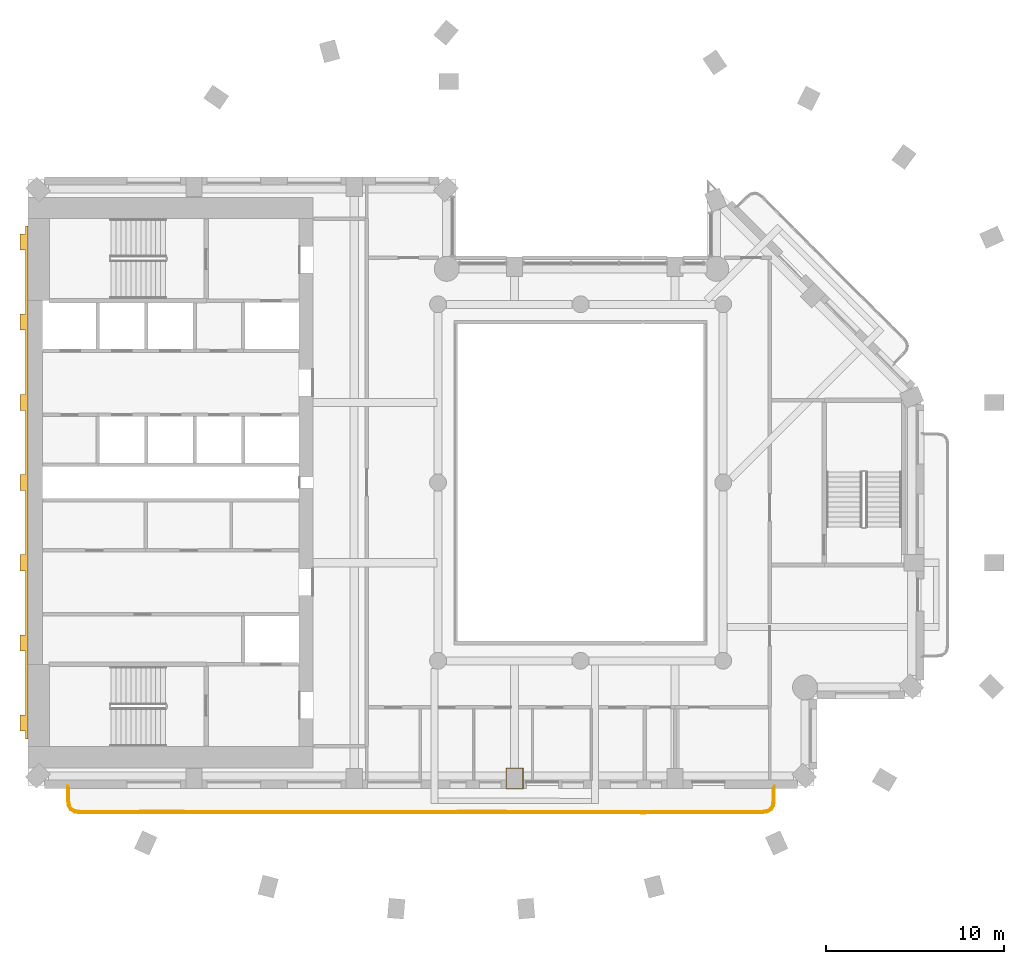
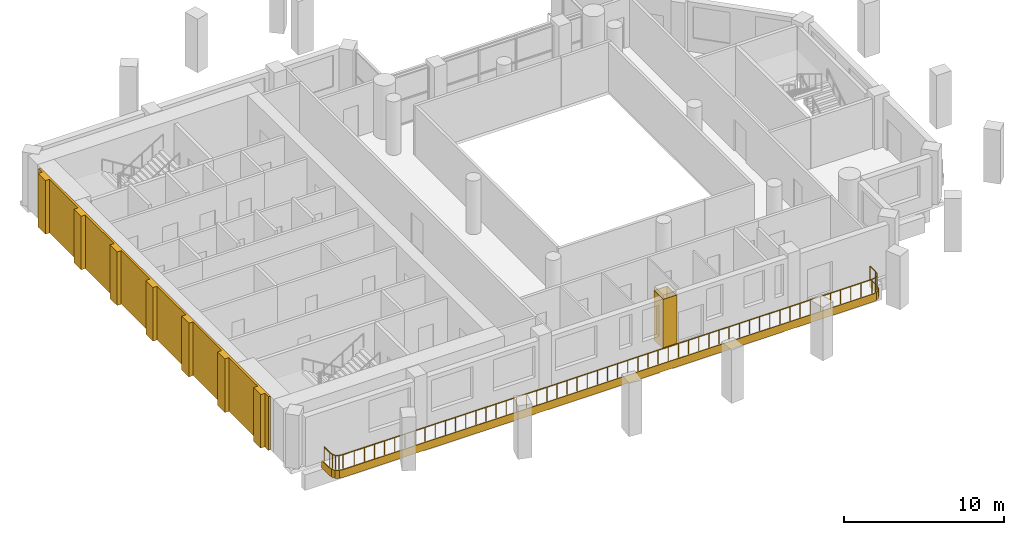
# One storey, part 11 of 14: 3 coverings, 1 railing.
"""IFC4 building model written with IfcOpenShell, lengths in metres."""

from ifc_helpers import new_model, si_unit, direction, frame, origin, origin_2d, place, context, subcontext, project, spatial, polyline, rectangle, outline, extrude, material, layer, layer_set, type_object, element, save


model = new_model("IFC4")

# Units and contexts
model_context = context("Model", 3, precision=1e-05, world=origin(), true_north=direction((0.0, 1.0)))
body_context = subcontext(model_context, "Body", "Model", "MODEL_VIEW")
ifc_project = project(units=[si_unit("LENGTHUNIT", "METRE"), si_unit("AREAUNIT", "SQUARE_METRE"), si_unit("VOLUMEUNIT", "CUBIC_METRE"), si_unit("PLANEANGLEUNIT", "RADIAN"), si_unit("MASSUNIT", "GRAM", prefix="KILO")], contexts=[model_context])

# Site, building, storey
site_placement = place(None, origin())
site = spatial("IfcSite", under=ifc_project, at=site_placement, CompositionType="ELEMENT")
building_placement = place(site_placement, origin())
building = spatial("IfcBuilding", under=site, at=building_placement, Name="Cypress Arch Tower", CompositionType="ELEMENT")
storey_placement = place(building_placement, frame((0.0, 0.0, 201.5)))
storey = spatial("IfcBuildingStorey", under=building, at=storey_placement, Name="L44", CompositionType="ELEMENT", Elevation=201.5)

# Covering
ifc_material_1 = material(Name="White powder-coated aluminium fascia", Category="aluminium")
ifc_layer_1 = layer(ifc_material_1, 0.050048828125)
ifc_layer_set_1 = layer_set([ifc_layer_1], Name="Balcony fascia BF50")
covering_type_1 = type_object("IfcCoveringType", Name="Balcony fascia BF50", PredefinedType="CLADDING", material=ifc_layer_set_1)
covering_1_placement = place(storey_placement, frame((0.0, 0.0, -0.60009765625)))
element("IfcCovering", 1, at=covering_1_placement, inside=storey, type_object=covering_type_1, Name="Balcony fascia L44-B01", PredefinedType="CLADDING", context=body_context, shape_type="SweptSolid", body=[
    extrude(outline(polyline([(11.89990234375, -17.844970703125), (11.85693359375, -18.147216796875), (11.721435546875, -18.373046875), (11.495849609375, -18.5087890625), (11.193603515625, -18.552734375), (10.383544921875, -18.554443359375), (8.916748046875, -18.558349609375), (7.4501953125, -18.5625), (5.9833984375, -18.565185546875), (4.5166015625, -18.56640625), (3.050048828125, -18.5654296875), (1.583251953125, -18.5625), (0.116455078125, -18.55859375), (-1.35009765625, -18.554443359375), (-2.816650390625, -18.55126953125), (-4.283447265625, -18.550048828125), (-5.75, -18.55078125), (-7.216552734375, -18.553466796875), (-8.68310546875, -18.557373046875), (-10.14990234375, -18.561279296875), (-11.61669921875, -18.564697265625), (-13.083251953125, -18.566162109375), (-14.550048828125, -18.56591796875), (-16.016845703125, -18.5634765625), (-17.4833984375, -18.5595703125), (-18.9501953125, -18.555419921875), (-20.416748046875, -18.552001953125), (-21.88330078125, -18.55029296875), (-23.349853515625, -18.55029296875), (-24.816650390625, -18.552490234375), (-26.283203125, -18.55615234375), (-27.093505859375, -18.558349609375), (-27.395751953125, -18.51611328125), (-27.621337890625, -18.38134765625), (-27.7568359375, -18.156005859375), (-27.800048828125, -17.853759765625), (-27.800048828125, -17.0009765625), (-27.75, -17.0009765625), (-27.75, -17.850341796875), (-27.708740234375, -18.138916015625), (-27.5849609375, -18.3447265625), (-27.378662109375, -18.468017578125), (-27.090087890625, -18.508544921875), (-26.283447265625, -18.506103515625), (-24.816650390625, -18.50244140625), (-23.35009765625, -18.500244140625), (-21.88330078125, -18.500244140625), (-20.416748046875, -18.501953125), (-18.949951171875, -18.505615234375), (-17.4833984375, -18.509765625), (-16.0166015625, -18.513427734375), (-14.550048828125, -18.515869140625), (-13.083251953125, -18.516357421875), (-11.61669921875, -18.5146484375), (-10.14990234375, -18.511474609375), (-8.683349609375, -18.50732421875), (-7.216552734375, -18.50341796875), (-5.75, -18.500732421875), (-4.283447265625, -18.5), (-2.816650390625, -18.50146484375), (-1.35009765625, -18.50439453125), (0.11669921875, -18.508544921875), (1.583251953125, -18.512451171875), (3.050048828125, -18.515380859375), (4.5166015625, -18.516357421875), (5.9833984375, -18.515380859375), (7.449951171875, -18.512451171875), (8.916748046875, -18.50830078125), (10.38330078125, -18.50439453125), (11.18994140625, -18.502685546875), (11.478759765625, -18.4609375), (11.68505859375, -18.336669921875), (11.808837890625, -18.130126953125), (11.85009765625, -17.84130859375), (11.85009765625, -17.0009765625), (11.89990234375, -17.0009765625), (11.89990234375, -17.844970703125)])), origin(), (0.0, 0.0, 1.0), 0.60009765625),
])

# Railing
ifc_material_2 = material(Name="Powder-coated steel posts and rods, 100 mm clear between rods", Category="steel")
railing_type = type_object("IfcRailingType", Name="Balcony guard GR1100", PredefinedType="GUARDRAIL", material=ifc_material_2)
railing_placement = place(storey_placement, frame((11.800048828125, -17.14990234375, 0.0)))
element("IfcRailing", 2, at=railing_placement, inside=storey, type_object=railing_type, Name="Balcony guard L44-B01", PredefinedType="GUARDRAIL", context=body_context, shape_type="SweptSolid", body=[
    extrude(rectangle(XDim=0.050048828125, YDim=0.050048828125, at=origin_2d()), frame((0.0, 0.0, 1.0751953125), z_axis=(0.0, -1.0, 0.0), x_axis=(1.0, 0.0, 0.0)), (0.0, 0.0, 1.0), 0.687744140625),
    extrude(rectangle(XDim=0.050048828125, YDim=0.050048828125, at=origin_2d()), frame((0.0, -0.687744140625, 1.0751953125), z_axis=(-0.141298486899, -0.989967038643, 0.0), x_axis=(0.989967038643, -0.141298486899, 0.0)), (0.0, 0.0, 1.0), 0.278076171875),
    extrude(rectangle(XDim=0.050048828125, YDim=0.050048828125, at=origin_2d()), frame((-0.039306640625, -0.963134765625, 1.0751953125), z_axis=(-0.514331317798, -0.85759156685, 0.0), x_axis=(0.85759156685, -0.514331317798, 0.0)), (0.0, 0.0, 1.0), 0.21826171875),
    extrude(rectangle(XDim=0.050048828125, YDim=0.050048828125, at=origin_2d()), frame((-0.151611328125, -1.150390625, 1.0751953125), z_axis=(-0.856503451729, -0.516141295748, 0.0), x_axis=(0.516141295748, -0.856503451729, 0.0)), (0.0, 0.0, 1.0), 0.218017578125),
    extrude(rectangle(XDim=0.050048828125, YDim=0.050048828125, at=origin_2d()), frame((-0.33837890625, -1.262939453125, 1.0751953125), z_axis=(-0.98972007872, -0.143018061021, 0.0), x_axis=(0.143018061021, -0.98972007872, 0.0)), (0.0, 0.0, 1.0), 0.2783203125),
    extrude(rectangle(XDim=0.050048828125, YDim=0.050048828125, at=origin_2d()), frame((-0.61376953125, -1.302734375, 1.0751953125), z_axis=(-0.999997735163, -0.002128301656, 0.0), x_axis=(0.002128301656, -0.999997735163, 0.0)), (0.0, 0.0, 1.0), 0.802978515625),
    extrude(rectangle(XDim=0.050048828125, YDim=0.050048828125, at=origin_2d()), frame((-1.416748046875, -1.304443359375, 1.0751953125), z_axis=(-0.999995996817, -0.002829549259, 0.0), x_axis=(0.002829549259, -0.999995996817, 0.0)), (0.0, 0.0, 1.0), 1.466796875),
    extrude(rectangle(XDim=0.050048828125, YDim=0.050048828125, at=origin_2d()), frame((-2.883544921875, -1.30859375, 1.0751953125), z_axis=(-0.999996452745, -0.002663549733, 0.0), x_axis=(0.002663549733, -0.999996452745, 0.0)), (0.0, 0.0, 1.0), 1.466552734375),
    extrude(rectangle(XDim=0.050048828125, YDim=0.050048828125, at=origin_2d()), frame((-4.35009765625, -1.3125, 1.0751953125), z_axis=(-0.999998005329, -0.0019973329, 0.0), x_axis=(0.0019973329, -0.999998005329, 0.0)), (0.0, 0.0, 1.0), 1.466796875),
    extrude(rectangle(XDim=0.050048828125, YDim=0.050048828125, at=origin_2d()), frame((-5.81689453125, -1.3154296875, 1.0751953125), z_axis=(-0.999999778295, -0.000665889648, 0.0), x_axis=(0.000665889648, -0.999999778295, 0.0)), (0.0, 0.0, 1.0), 1.466552734375),
    extrude(rectangle(XDim=0.050048828125, YDim=0.050048828125, at=origin_2d()), frame((-7.283447265625, -1.31640625, 1.0751953125), z_axis=(-0.999999778295, 0.000665889648, 0.0), x_axis=(-0.000665889648, -0.999999778295, 0.0)), (0.0, 0.0, 1.0), 1.466552734375),
    extrude(rectangle(XDim=0.050048828125, YDim=0.050048828125, at=origin_2d()), frame((-8.75, -1.3154296875, 1.0751953125), z_axis=(-0.999998004664, 0.0019976654, 0.0), x_axis=(-0.0019976654, -0.999998004664, 0.0)), (0.0, 0.0, 1.0), 1.466552734375),
    extrude(rectangle(XDim=0.050048828125, YDim=0.050048828125, at=origin_2d()), frame((-10.216552734375, -1.3125, 1.0751953125), z_axis=(-0.999996453926, 0.002663106402, 0.0), x_axis=(-0.002663106402, -0.999996453926, 0.0)), (0.0, 0.0, 1.0), 1.466796875),
    extrude(rectangle(XDim=0.050048828125, YDim=0.050048828125, at=origin_2d()), frame((-11.683349609375, -1.30859375, 1.0751953125), z_axis=(-0.999996452745, 0.002663549733, 0.0), x_axis=(-0.002663549733, -0.999996452745, 0.0)), (0.0, 0.0, 1.0), 1.466552734375),
    extrude(rectangle(XDim=0.050048828125, YDim=0.050048828125, at=origin_2d()), frame((-13.14990234375, -1.3046875, 1.0751953125), z_axis=(-0.999997659033, 0.002163776559, 0.0), x_axis=(-0.002163776559, -0.999997659033, 0.0)), (0.0, 0.0, 1.0), 1.466796875),
    extrude(rectangle(XDim=0.050048828125, YDim=0.050048828125, at=origin_2d()), frame((-14.61669921875, -1.301513671875, 1.0751953125), z_axis=(-0.999999501165, 0.000998834195, 0.0), x_axis=(-0.000998834195, -0.999999501165, 0.0)), (0.0, 0.0, 1.0), 1.466552734375),
    extrude(rectangle(XDim=0.050048828125, YDim=0.050048828125, at=origin_2d()), frame((-16.083251953125, -1.300048828125, 1.0751953125), z_axis=(-0.999999875333, -0.000499334159, 0.0), x_axis=(0.000499334159, -0.999999875333, 0.0)), (0.0, 0.0, 1.0), 1.466796875),
    extrude(rectangle(XDim=0.050048828125, YDim=0.050048828125, at=origin_2d()), frame((-17.550048828125, -1.30078125, 1.0751953125), z_axis=(-0.999998323921, -0.001830889075, 0.0), x_axis=(0.001830889075, -0.999998323921, 0.0)), (0.0, 0.0, 1.0), 1.466796875),
    extrude(rectangle(XDim=0.050048828125, YDim=0.050048828125, at=origin_2d()), frame((-19.016845703125, -1.303466796875, 1.0751953125), z_axis=(-0.999996453926, -0.002663106402, 0.0), x_axis=(0.002663106402, -0.999996453926, 0.0)), (0.0, 0.0, 1.0), 1.466796875),
    extrude(rectangle(XDim=0.050048828125, YDim=0.050048828125, at=origin_2d()), frame((-20.483642578125, -1.307373046875, 1.0751953125), z_axis=(-0.999995995485, -0.002830020297, 0.0), x_axis=(0.002830020297, -0.999995995485, 0.0)), (0.0, 0.0, 1.0), 1.466552734375),
    extrude(rectangle(XDim=0.050048828125, YDim=0.050048828125, at=origin_2d()), frame((-21.9501953125, -1.3115234375, 1.0751953125), z_axis=(-0.999997658253, -0.002164136767, 0.0), x_axis=(0.002164136767, -0.999997658253, 0.0)), (0.0, 0.0, 1.0), 1.466552734375),
    extrude(rectangle(XDim=0.050048828125, YDim=0.050048828125, at=origin_2d()), frame((-23.416748046875, -1.314697265625, 1.0751953125), z_axis=(-0.99999932103, -0.00116530635, 0.0), x_axis=(0.00116530635, -0.99999932103, 0.0)), (0.0, 0.0, 1.0), 1.466552734375),
    extrude(rectangle(XDim=0.050048828125, YDim=0.050048828125, at=origin_2d()), frame((-24.88330078125, -1.31640625, 1.0751953125), z_axis=(-0.999999944592, 0.000332889462, 0.0), x_axis=(-0.000332889462, -0.999999944592, 0.0)), (0.0, 0.0, 1.0), 1.466796875),
    extrude(rectangle(XDim=0.050048828125, YDim=0.050048828125, at=origin_2d()), frame((-26.35009765625, -1.31591796875, 1.0751953125), z_axis=(-0.999998614349, 0.001664722181, 0.0), x_axis=(-0.001664722181, -0.999998614349, 0.0)), (0.0, 0.0, 1.0), 1.466552734375),
    extrude(rectangle(XDim=0.050048828125, YDim=0.050048828125, at=origin_2d()), frame((-27.816650390625, -1.3134765625, 1.0751953125), z_axis=(-0.999996882294, 0.002497078947, 0.0), x_axis=(-0.002497078947, -0.999996882294, 0.0)), (0.0, 0.0, 1.0), 1.466552734375),
    extrude(rectangle(XDim=0.050048828125, YDim=0.050048828125, at=origin_2d()), frame((-29.283203125, -1.309814453125, 1.0751953125), z_axis=(-0.999995996817, 0.002829549259, 0.0), x_axis=(-0.002829549259, -0.999995996817, 0.0)), (0.0, 0.0, 1.0), 1.466796875),
    extrude(rectangle(XDim=0.050048828125, YDim=0.050048828125, at=origin_2d()), frame((-30.75, -1.3056640625, 1.0751953125), z_axis=(-0.99999728413, 0.002330607954, 0.0), x_axis=(-0.002330607954, -0.99999728413, 0.0)), (0.0, 0.0, 1.0), 1.466552734375),
    extrude(rectangle(XDim=0.050048828125, YDim=0.050048828125, at=origin_2d()), frame((-32.216552734375, -1.30224609375, 1.0751953125), z_axis=(-0.999999113478, 0.001331556742, 0.0), x_axis=(-0.001331556742, -0.999999113478, 0.0)), (0.0, 0.0, 1.0), 1.466796875),
    extrude(rectangle(XDim=0.050048828125, YDim=0.050048828125, at=origin_2d()), frame((-33.683349609375, -1.30029296875, 1.0751953125), z_axis=(-0.999999986148, -0.000166444738, 0.0), x_axis=(0.000166444738, -0.999999986148, 0.0)), (0.0, 0.0, 1.0), 1.466796875),
    extrude(rectangle(XDim=0.050048828125, YDim=0.050048828125, at=origin_2d()), frame((-35.150146484375, -1.300537109375, 1.0751953125), z_axis=(-0.999998877996, -0.001498000982, 0.0), x_axis=(0.001498000982, -0.999998877996, 0.0)), (0.0, 0.0, 1.0), 1.466796875),
    extrude(rectangle(XDim=0.050048828125, YDim=0.050048828125, at=origin_2d()), frame((-36.616943359375, -1.302734375, 1.0751953125), z_axis=(-0.99999728413, -0.002330607954, 0.0), x_axis=(0.002330607954, -0.99999728413, 0.0)), (0.0, 0.0, 1.0), 1.466552734375),
    extrude(rectangle(XDim=0.050048828125, YDim=0.050048828125, at=origin_2d()), frame((-38.08349609375, -1.30615234375, 1.0751953125), z_axis=(-0.99999538071, -0.003039499637, 0.0), x_axis=(0.003039499637, -0.99999538071, 0.0)), (0.0, 0.0, 1.0), 0.80322265625),
    extrude(rectangle(XDim=0.050048828125, YDim=0.050048828125, at=origin_2d()), frame((-38.88671875, -1.30859375, 1.0751953125), z_axis=(-0.990315184278, 0.138837443759, 0.0), x_axis=(-0.138837443759, -0.990315184278, 0.0)), (0.0, 0.0, 1.0), 0.27783203125),
    extrude(rectangle(XDim=0.050048828125, YDim=0.050048828125, at=origin_2d()), frame((-39.161865234375, -1.27001953125, 1.0751953125), z_axis=(-0.858481512429, 0.512844511346, 0.0), x_axis=(-0.512844511346, -0.858481512429, 0.0)), (0.0, 0.0, 1.0), 0.217529296875),
    extrude(rectangle(XDim=0.050048828125, YDim=0.050048828125, at=origin_2d()), frame((-39.3486328125, -1.158447265625, 1.0751953125), z_axis=(-0.514990662654, 0.857195787075, 0.0), x_axis=(-0.857195787075, -0.514990662654, 0.0)), (0.0, 0.0, 1.0), 0.217529296875),
    extrude(rectangle(XDim=0.050048828125, YDim=0.050048828125, at=origin_2d()), frame((-39.460693359375, -0.971923828125, 1.0751953125), z_axis=(-0.141421356237, 0.989949493661, 0.0), x_axis=(-0.989949493661, -0.141421356237, 0.0)), (0.0, 0.0, 1.0), 0.27783203125),
    extrude(rectangle(XDim=0.050048828125, YDim=0.050048828125, at=origin_2d()), frame((-39.5, -0.69677734375, 1.0751953125), z_axis=(0.0, 1.0, 0.0), x_axis=(-1.0, 0.0, 0.0)), (0.0, 0.0, 1.0), 0.69677734375),
    extrude(rectangle(XDim=0.0400390625, YDim=0.0400390625, at=origin_2d()), origin(), (0.0, 0.0, 1.0), 1.050048828125),
    extrude(rectangle(XDim=0.0400390625, YDim=0.0400390625, at=origin_2d()), frame((0.0, -0.687744140625, 0.0)), (0.0, 0.0, 1.0), 1.050048828125),
    extrude(rectangle(XDim=0.0400390625, YDim=0.0400390625, at=origin_2d()), frame((-0.039306640625, -0.963134765625, 0.0)), (0.0, 0.0, 1.0), 1.050048828125),
    extrude(rectangle(XDim=0.0400390625, YDim=0.0400390625, at=origin_2d()), frame((-0.151611328125, -1.150390625, 0.0)), (0.0, 0.0, 1.0), 1.050048828125),
    extrude(rectangle(XDim=0.0400390625, YDim=0.0400390625, at=origin_2d()), frame((-0.33837890625, -1.262939453125, 0.0)), (0.0, 0.0, 1.0), 1.050048828125),
    extrude(rectangle(XDim=0.0400390625, YDim=0.0400390625, at=origin_2d()), frame((-0.61376953125, -1.302734375, 0.0)), (0.0, 0.0, 1.0), 1.050048828125),
    extrude(rectangle(XDim=0.0400390625, YDim=0.0400390625, at=origin_2d()), frame((-1.416748046875, -1.304443359375, 0.0)), (0.0, 0.0, 1.0), 1.050048828125),
    extrude(rectangle(XDim=0.0400390625, YDim=0.0400390625, at=origin_2d()), frame((-2.150146484375, -1.306640625, 0.0)), (0.0, 0.0, 1.0), 1.050048828125),
    extrude(rectangle(XDim=0.0400390625, YDim=0.0400390625, at=origin_2d()), frame((-2.883544921875, -1.30859375, 0.0)), (0.0, 0.0, 1.0), 1.050048828125),
    extrude(rectangle(XDim=0.0400390625, YDim=0.0400390625, at=origin_2d()), frame((-3.61669921875, -1.310546875, 0.0)), (0.0, 0.0, 1.0), 1.050048828125),
    extrude(rectangle(XDim=0.0400390625, YDim=0.0400390625, at=origin_2d()), frame((-4.35009765625, -1.3125, 0.0)), (0.0, 0.0, 1.0), 1.050048828125),
    extrude(rectangle(XDim=0.0400390625, YDim=0.0400390625, at=origin_2d()), frame((-5.08349609375, -1.31396484375, 0.0)), (0.0, 0.0, 1.0), 1.050048828125),
    extrude(rectangle(XDim=0.0400390625, YDim=0.0400390625, at=origin_2d()), frame((-5.81689453125, -1.3154296875, 0.0)), (0.0, 0.0, 1.0), 1.050048828125),
    extrude(rectangle(XDim=0.0400390625, YDim=0.0400390625, at=origin_2d()), frame((-6.55029296875, -1.31591796875, 0.0)), (0.0, 0.0, 1.0), 1.050048828125),
    extrude(rectangle(XDim=0.0400390625, YDim=0.0400390625, at=origin_2d()), frame((-7.283447265625, -1.31640625, 0.0)), (0.0, 0.0, 1.0), 1.050048828125),
    extrude(rectangle(XDim=0.0400390625, YDim=0.0400390625, at=origin_2d()), frame((-8.0166015625, -1.31591796875, 0.0)), (0.0, 0.0, 1.0), 1.050048828125),
    extrude(rectangle(XDim=0.0400390625, YDim=0.0400390625, at=origin_2d()), frame((-8.75, -1.3154296875, 0.0)), (0.0, 0.0, 1.0), 1.050048828125),
    extrude(rectangle(XDim=0.0400390625, YDim=0.0400390625, at=origin_2d()), frame((-9.4833984375, -1.31396484375, 0.0)), (0.0, 0.0, 1.0), 1.050048828125),
    extrude(rectangle(XDim=0.0400390625, YDim=0.0400390625, at=origin_2d()), frame((-10.216552734375, -1.3125, 0.0)), (0.0, 0.0, 1.0), 1.050048828125),
    extrude(rectangle(XDim=0.0400390625, YDim=0.0400390625, at=origin_2d()), frame((-10.949951171875, -1.310546875, 0.0)), (0.0, 0.0, 1.0), 1.050048828125),
    extrude(rectangle(XDim=0.0400390625, YDim=0.0400390625, at=origin_2d()), frame((-11.683349609375, -1.30859375, 0.0)), (0.0, 0.0, 1.0), 1.050048828125),
    extrude(rectangle(XDim=0.0400390625, YDim=0.0400390625, at=origin_2d()), frame((-12.41650390625, -1.306640625, 0.0)), (0.0, 0.0, 1.0), 1.050048828125),
    extrude(rectangle(XDim=0.0400390625, YDim=0.0400390625, at=origin_2d()), frame((-13.14990234375, -1.3046875, 0.0)), (0.0, 0.0, 1.0), 1.050048828125),
    extrude(rectangle(XDim=0.0400390625, YDim=0.0400390625, at=origin_2d()), frame((-13.88330078125, -1.30322265625, 0.0)), (0.0, 0.0, 1.0), 1.050048828125),
    extrude(rectangle(XDim=0.0400390625, YDim=0.0400390625, at=origin_2d()), frame((-14.61669921875, -1.301513671875, 0.0)), (0.0, 0.0, 1.0), 1.050048828125),
    extrude(rectangle(XDim=0.0400390625, YDim=0.0400390625, at=origin_2d()), frame((-15.35009765625, -1.30078125, 0.0)), (0.0, 0.0, 1.0), 1.050048828125),
    extrude(rectangle(XDim=0.0400390625, YDim=0.0400390625, at=origin_2d()), frame((-16.083251953125, -1.300048828125, 0.0)), (0.0, 0.0, 1.0), 1.050048828125),
    extrude(rectangle(XDim=0.0400390625, YDim=0.0400390625, at=origin_2d()), frame((-16.816650390625, -1.30029296875, 0.0)), (0.0, 0.0, 1.0), 1.050048828125),
    extrude(rectangle(XDim=0.0400390625, YDim=0.0400390625, at=origin_2d()), frame((-17.550048828125, -1.30078125, 0.0)), (0.0, 0.0, 1.0), 1.050048828125),
    extrude(rectangle(XDim=0.0400390625, YDim=0.0400390625, at=origin_2d()), frame((-18.283447265625, -1.30224609375, 0.0)), (0.0, 0.0, 1.0), 1.050048828125),
    extrude(rectangle(XDim=0.0400390625, YDim=0.0400390625, at=origin_2d()), frame((-19.016845703125, -1.303466796875, 0.0)), (0.0, 0.0, 1.0), 1.050048828125),
    extrude(rectangle(XDim=0.0400390625, YDim=0.0400390625, at=origin_2d()), frame((-19.750244140625, -1.305419921875, 0.0)), (0.0, 0.0, 1.0), 1.050048828125),
    extrude(rectangle(XDim=0.0400390625, YDim=0.0400390625, at=origin_2d()), frame((-20.483642578125, -1.307373046875, 0.0)), (0.0, 0.0, 1.0), 1.050048828125),
    extrude(rectangle(XDim=0.0400390625, YDim=0.0400390625, at=origin_2d()), frame((-21.216796875, -1.3095703125, 0.0)), (0.0, 0.0, 1.0), 1.050048828125),
    extrude(rectangle(XDim=0.0400390625, YDim=0.0400390625, at=origin_2d()), frame((-21.9501953125, -1.3115234375, 0.0)), (0.0, 0.0, 1.0), 1.050048828125),
    extrude(rectangle(XDim=0.0400390625, YDim=0.0400390625, at=origin_2d()), frame((-22.68359375, -1.31298828125, 0.0)), (0.0, 0.0, 1.0), 1.050048828125),
    extrude(rectangle(XDim=0.0400390625, YDim=0.0400390625, at=origin_2d()), frame((-23.416748046875, -1.314697265625, 0.0)), (0.0, 0.0, 1.0), 1.050048828125),
    extrude(rectangle(XDim=0.0400390625, YDim=0.0400390625, at=origin_2d()), frame((-24.14990234375, -1.3154296875, 0.0)), (0.0, 0.0, 1.0), 1.050048828125),
    extrude(rectangle(XDim=0.0400390625, YDim=0.0400390625, at=origin_2d()), frame((-24.88330078125, -1.31640625, 0.0)), (0.0, 0.0, 1.0), 1.050048828125),
    extrude(rectangle(XDim=0.0400390625, YDim=0.0400390625, at=origin_2d()), frame((-25.61669921875, -1.316162109375, 0.0)), (0.0, 0.0, 1.0), 1.050048828125),
    extrude(rectangle(XDim=0.0400390625, YDim=0.0400390625, at=origin_2d()), frame((-26.35009765625, -1.31591796875, 0.0)), (0.0, 0.0, 1.0), 1.050048828125),
    extrude(rectangle(XDim=0.0400390625, YDim=0.0400390625, at=origin_2d()), frame((-27.08349609375, -1.314697265625, 0.0)), (0.0, 0.0, 1.0), 1.050048828125),
    extrude(rectangle(XDim=0.0400390625, YDim=0.0400390625, at=origin_2d()), frame((-27.816650390625, -1.3134765625, 0.0)), (0.0, 0.0, 1.0), 1.050048828125),
    extrude(rectangle(XDim=0.0400390625, YDim=0.0400390625, at=origin_2d()), frame((-28.5498046875, -1.3115234375, 0.0)), (0.0, 0.0, 1.0), 1.050048828125),
    extrude(rectangle(XDim=0.0400390625, YDim=0.0400390625, at=origin_2d()), frame((-29.283203125, -1.309814453125, 0.0)), (0.0, 0.0, 1.0), 1.050048828125),
    extrude(rectangle(XDim=0.0400390625, YDim=0.0400390625, at=origin_2d()), frame((-30.0166015625, -1.3076171875, 0.0)), (0.0, 0.0, 1.0), 1.050048828125),
    extrude(rectangle(XDim=0.0400390625, YDim=0.0400390625, at=origin_2d()), frame((-30.75, -1.3056640625, 0.0)), (0.0, 0.0, 1.0), 1.050048828125),
    extrude(rectangle(XDim=0.0400390625, YDim=0.0400390625, at=origin_2d()), frame((-31.4833984375, -1.303955078125, 0.0)), (0.0, 0.0, 1.0), 1.050048828125),
    extrude(rectangle(XDim=0.0400390625, YDim=0.0400390625, at=origin_2d()), frame((-32.216552734375, -1.30224609375, 0.0)), (0.0, 0.0, 1.0), 1.050048828125),
    extrude(rectangle(XDim=0.0400390625, YDim=0.0400390625, at=origin_2d()), frame((-32.949951171875, -1.30126953125, 0.0)), (0.0, 0.0, 1.0), 1.050048828125),
    extrude(rectangle(XDim=0.0400390625, YDim=0.0400390625, at=origin_2d()), frame((-33.683349609375, -1.30029296875, 0.0)), (0.0, 0.0, 1.0), 1.050048828125),
    extrude(rectangle(XDim=0.0400390625, YDim=0.0400390625, at=origin_2d()), frame((-34.416748046875, -1.30029296875, 0.0)), (0.0, 0.0, 1.0), 1.050048828125),
    extrude(rectangle(XDim=0.0400390625, YDim=0.0400390625, at=origin_2d()), frame((-35.150146484375, -1.300537109375, 0.0)), (0.0, 0.0, 1.0), 1.050048828125),
    extrude(rectangle(XDim=0.0400390625, YDim=0.0400390625, at=origin_2d()), frame((-35.883544921875, -1.3017578125, 0.0)), (0.0, 0.0, 1.0), 1.050048828125),
    extrude(rectangle(XDim=0.0400390625, YDim=0.0400390625, at=origin_2d()), frame((-36.616943359375, -1.302734375, 0.0)), (0.0, 0.0, 1.0), 1.050048828125),
    extrude(rectangle(XDim=0.0400390625, YDim=0.0400390625, at=origin_2d()), frame((-37.35009765625, -1.304443359375, 0.0)), (0.0, 0.0, 1.0), 1.050048828125),
    extrude(rectangle(XDim=0.0400390625, YDim=0.0400390625, at=origin_2d()), frame((-38.08349609375, -1.30615234375, 0.0)), (0.0, 0.0, 1.0), 1.050048828125),
    extrude(rectangle(XDim=0.0400390625, YDim=0.0400390625, at=origin_2d()), frame((-38.88671875, -1.30859375, 0.0)), (0.0, 0.0, 1.0), 1.050048828125),
    extrude(rectangle(XDim=0.0400390625, YDim=0.0400390625, at=origin_2d()), frame((-39.161865234375, -1.27001953125, 0.0)), (0.0, 0.0, 1.0), 1.050048828125),
    extrude(rectangle(XDim=0.0400390625, YDim=0.0400390625, at=origin_2d()), frame((-39.3486328125, -1.158447265625, 0.0)), (0.0, 0.0, 1.0), 1.050048828125),
    extrude(rectangle(XDim=0.0400390625, YDim=0.0400390625, at=origin_2d()), frame((-39.460693359375, -0.971923828125, 0.0)), (0.0, 0.0, 1.0), 1.050048828125),
    extrude(rectangle(XDim=0.0400390625, YDim=0.0400390625, at=origin_2d()), frame((-39.5, -0.69677734375, 0.0)), (0.0, 0.0, 1.0), 1.050048828125),
    extrude(rectangle(XDim=0.0400390625, YDim=0.0400390625, at=origin_2d()), frame((-39.5, 0.0, 0.0)), (0.0, 0.0, 1.0), 1.050048828125),
])

# Coverings
ifc_material_3 = material(Name="Painted plasterboard column casing")
ifc_layer_2 = layer(ifc_material_3, 0.0400390625)
ifc_layer_set_2 = layer_set([ifc_layer_2], Name="Column casing CK40")
covering_type_2 = type_object("IfcCoveringType", Name="Column casing CK40", PredefinedType="CLADDING", material=ifc_layer_set_2)
covering_2_placement = place(storey_placement, origin())
element("IfcCovering", 3, at=covering_2_placement, inside=storey, type_object=covering_type_2, Name="Column casing L44 CB04", PredefinedType="CLADDING", context=body_context, shape_type="SweptSolid", body=[
    extrude(outline(polyline([(-3.18994140625, -17.18994140625), (-3.18994140625, -16.010009765625), (-2.2099609375, -16.010009765625), (-2.2099609375, -17.18994140625), (-3.18994140625, -17.18994140625)]), holes=[polyline([(-3.14990234375, -17.14990234375), (-2.25, -17.14990234375), (-2.25, -16.050048828125), (-3.14990234375, -16.050048828125), (-3.14990234375, -17.14990234375)])]), origin(), (0.0, 0.0, 1.0), 3.800048828125),
])
ifc_material_4 = material(Name="Brick (red buff blend)", Category="masonry")
ifc_layer_3 = layer(ifc_material_4, 0.449951171875)
ifc_layer_set_3 = layer_set([ifc_layer_3], Name="West face brick piers WP450")
covering_type_3 = type_object("IfcCoveringType", Name="West face brick piers WP450", PredefinedType="CLADDING", material=ifc_layer_set_3)
covering_3_placement = place(storey_placement, origin())
element("IfcCovering", 4, at=covering_3_placement, inside=storey, type_object=covering_type_3, Name="West face brick piers L44", PredefinedType="CLADDING", context=body_context, shape_type="SweptSolid", body=[
    extrude(outline(polyline([(-30.14990234375, -13.050048828125), (-30.14990234375, -9.449951171875), (-30.449951171875, -9.449951171875), (-30.449951171875, -8.550048828125), (-30.14990234375, -8.550048828125), (-30.14990234375, -4.949951171875), (-30.449951171875, -4.949951171875), (-30.449951171875, -4.050048828125), (-30.14990234375, -4.050048828125), (-30.14990234375, -0.449951171875), (-30.449951171875, -0.449951171875), (-30.449951171875, 0.449951171875), (-30.14990234375, 0.449951171875), (-30.14990234375, 4.050048828125), (-30.449951171875, 4.050048828125), (-30.449951171875, 4.949951171875), (-30.14990234375, 4.949951171875), (-30.14990234375, 8.550048828125), (-30.449951171875, 8.550048828125), (-30.449951171875, 9.449951171875), (-30.14990234375, 9.449951171875), (-30.14990234375, 13.050048828125), (-30.449951171875, 13.050048828125), (-30.449951171875, 13.949951171875), (-30.14990234375, 13.949951171875), (-30.14990234375, 14.39990234375), (-30.0, 14.39990234375), (-30.0, -14.39990234375), (-30.14990234375, -14.39990234375), (-30.14990234375, -13.949951171875), (-30.449951171875, -13.949951171875), (-30.449951171875, -13.050048828125), (-30.14990234375, -13.050048828125)])), origin(), (0.0, 0.0, 1.0), 4.10009765625),
])

save(model, "model.ifc")
